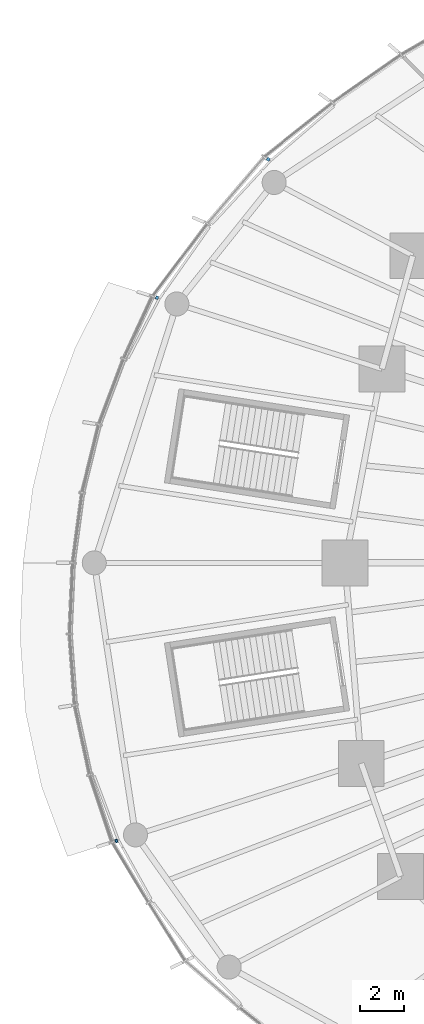
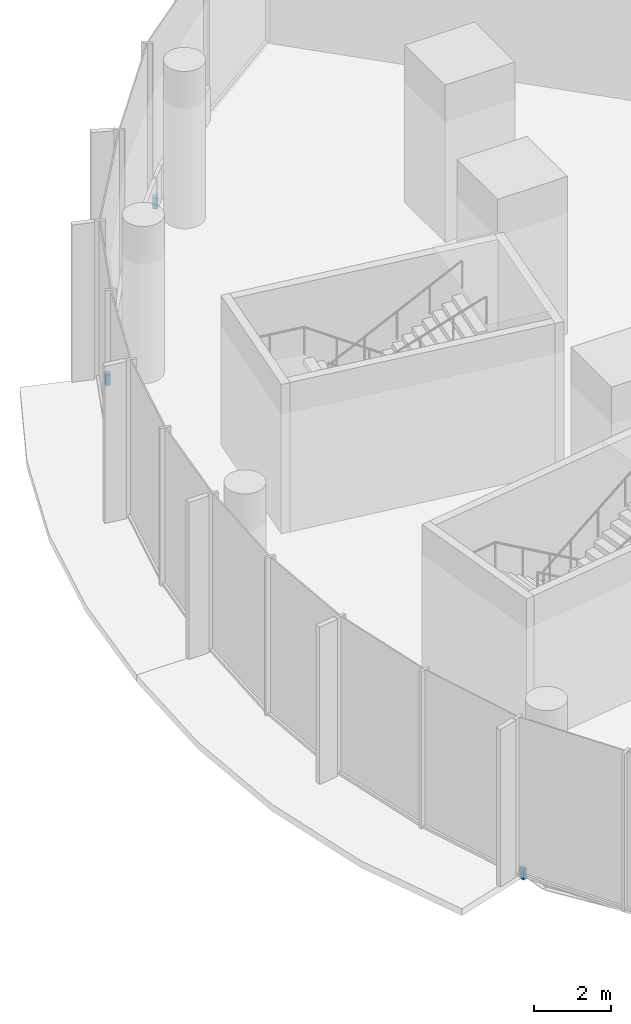
# One storey, part 18 of 28: 3 discrete accessories.
"""IFC4 building model written with IfcOpenShell, lengths in metres."""

from ifc_helpers import new_model, si_unit, direction, frame, origin, origin_2d, place, context, subcontext, project, spatial, rectangle, extrude, material, type_object, element, save


model = new_model("IFC4")

# Units and contexts
model_context = context("Model", 3, precision=1e-05, world=origin(), true_north=direction((0.0, 1.0)))
body_context = subcontext(model_context, "Body", "Model", "MODEL_VIEW")
ifc_project = project(units=[si_unit("LENGTHUNIT", "METRE"), si_unit("AREAUNIT", "SQUARE_METRE"), si_unit("VOLUMEUNIT", "CUBIC_METRE"), si_unit("PLANEANGLEUNIT", "RADIAN"), si_unit("MASSUNIT", "GRAM", prefix="KILO")], contexts=[model_context])

# Site, building, storey
site_placement = place(None, origin())
site = spatial("IfcSite", under=ifc_project, at=site_placement, CompositionType="ELEMENT")
building_placement = place(site_placement, origin())
building = spatial("IfcBuilding", under=site, at=building_placement, Name="Ghaith Harvest Tower", CompositionType="ELEMENT")
storey_placement = place(building_placement, frame((0.0, 0.0, 5.0)))
storey = spatial("IfcBuildingStorey", under=building, at=storey_placement, Name="L01", CompositionType="ELEMENT", Elevation=5.0)

# Discrete accessories
ifc_material_1 = material(Name="Stainless steel grade 1.4401", Category="steel")
discrete_accessory_type_1 = type_object("IfcDiscreteAccessoryType", Name="CURTAIN WALL BRACKET 105", PredefinedType="BRACKET", material=ifc_material_1)
discrete_accessory_1_placement = place(storey_placement, frame((-40.1279296875, -12.71728515625, -0.25), z_axis=(0.0, 0.0, 1.0), x_axis=(-0.953273219416, -0.302109531701, 0.0)))
element("IfcDiscreteAccessory", 1, at=discrete_accessory_1_placement, inside=storey, type_object=discrete_accessory_type_1, Name="CW-P bracket 1 bay 12 L01", PredefinedType="BRACKET", context=body_context, shape_type="SweptSolid", body=[
    extrude(rectangle(XDim=0.10498046875, YDim=0.14990234375, at=origin_2d()), origin(), (0.0, 0.0, 1.0), 0.35009765625),
])
ifc_material_2 = material(Name="Stainless steel grade 1.4401", Category="steel")
discrete_accessory_type_2 = type_object("IfcDiscreteAccessoryType", Name="CURTAIN WALL BRACKET 135", PredefinedType="BRACKET", material=ifc_material_2)
discrete_accessory_2_placement = place(storey_placement, frame((-38.2724609375, 12.129150390625, -0.25), z_axis=(0.0, 0.0, 1.0), x_axis=(-0.953273219358, 0.302109531884, 0.0)))
element("IfcDiscreteAccessory", 2, at=discrete_accessory_2_placement, inside=storey, type_object=discrete_accessory_type_2, Name="CW-P bracket 1 bay 10 L01", PredefinedType="BRACKET", context=body_context, shape_type="SweptSolid", body=[
    extrude(rectangle(XDim=0.135009765625, YDim=0.14990234375, at=origin_2d()), origin(), (0.0, 0.0, 1.0), 0.35009765625),
])
ifc_material_3 = material(Name="Stainless steel grade 1.4401", Category="steel")
discrete_accessory_type_3 = type_object("IfcDiscreteAccessoryType", Name="CURTAIN WALL BRACKET 145", PredefinedType="BRACKET", material=ifc_material_3)
discrete_accessory_3_placement = place(storey_placement, frame((-33.18359375, 18.455810546875, -0.25), z_axis=(0.0, 0.0, 1.0), x_axis=(-0.873926916005, 0.486057347935, 0.0)))
element("IfcDiscreteAccessory", 3, at=discrete_accessory_3_placement, inside=storey, type_object=discrete_accessory_type_3, Name="CW-P bracket 2 bay 09 L01", PredefinedType="BRACKET", context=body_context, shape_type="SweptSolid", body=[
    extrude(rectangle(XDim=0.14501953125, YDim=0.14990234375, at=origin_2d()), origin(), (0.0, 0.0, 1.0), 0.35009765625),
])

save(model, "model.ifc")
